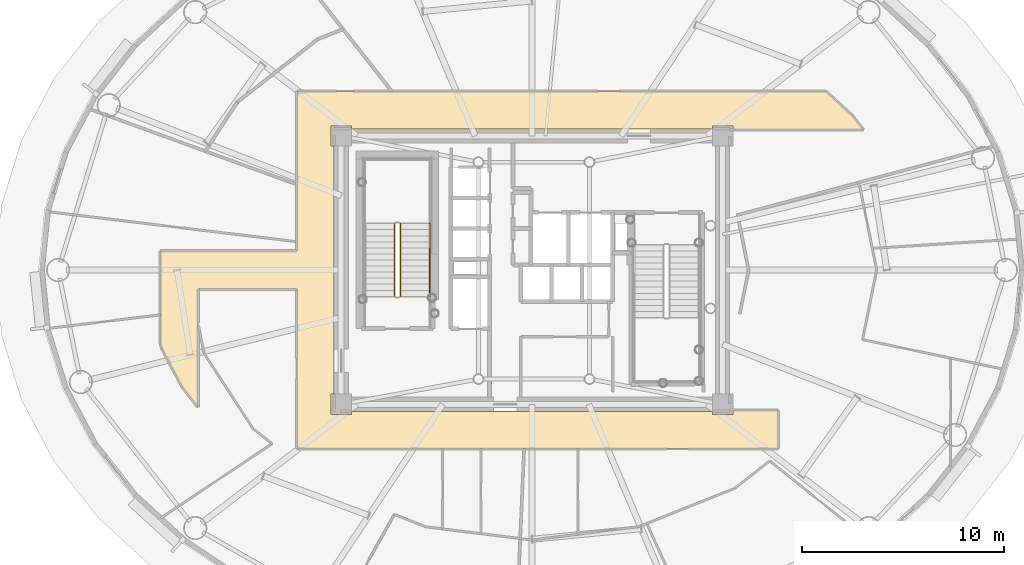
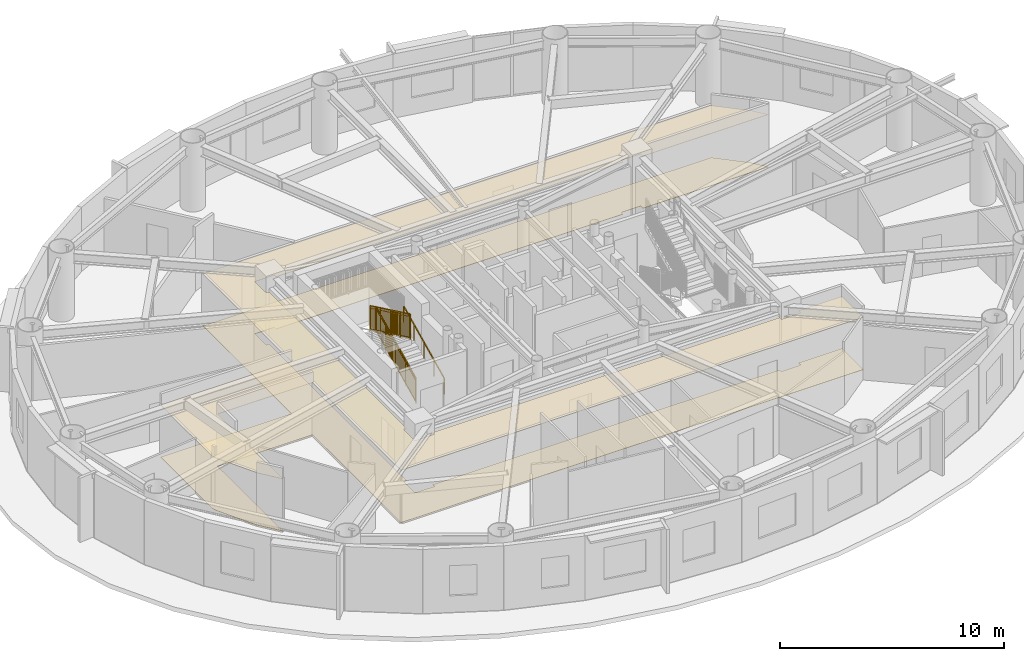
# One storey, part 15 of 19: 3 railings, 2 coverings.
"""IFC4 building model written with IfcOpenShell, lengths in metres."""

from ifc_helpers import new_model, si_unit, direction, frame, origin, origin_2d, place, context, subcontext, project, spatial, polyline, rectangle, outline, extrude, source, transform, mapped, material, layer, layer_set, type_object, element, save


model = new_model("IFC4")

# Units and contexts
model_context = context("Model", 3, precision=1e-05, world=origin(), true_north=direction((0.0, 1.0)))
body_context = subcontext(model_context, "Body", "Model", "MODEL_VIEW")
ifc_project = project(units=[si_unit("LENGTHUNIT", "METRE"), si_unit("AREAUNIT", "SQUARE_METRE"), si_unit("VOLUMEUNIT", "CUBIC_METRE"), si_unit("PLANEANGLEUNIT", "RADIAN"), si_unit("MASSUNIT", "GRAM", prefix="KILO")], contexts=[model_context])

# Site, building, storey
site_placement = place(None, origin())
site = spatial("IfcSite", under=ifc_project, at=site_placement, CompositionType="ELEMENT")
building_placement = place(site_placement, origin())
building = spatial("IfcBuilding", under=site, at=building_placement, Name="Linh Dai School and Residence Tower", CompositionType="ELEMENT")
storey_placement = place(building_placement, frame((0.0, 0.0, 210.300048828125)))
storey = spatial("IfcBuildingStorey", under=building, at=storey_placement, Name="L51", CompositionType="ELEMENT", Elevation=210.300048828125)

# Coverings
ifc_material_1 = material(Name="Mineral Fibre Acoustic Suspended Ceiling", Category="masonry")
ifc_layer_1 = layer(ifc_material_1, 0.02001953125)
ifc_layer_set_1 = layer_set([ifc_layer_1], Name="Mineral Fibre Acoustic Suspended Ceiling")
covering_type_1 = type_object("IfcCoveringType", Name="COV-CEIL-AC-20", PredefinedType="CEILING", material=ifc_layer_set_1)
covering_1_placement = place(storey_placement, frame((0.0, 0.0, 2.849853515625)))
element("IfcCovering", 1, at=covering_1_placement, inside=storey, type_object=covering_type_1, Name="L51 Residential Floor Corridor Suspended Ceiling", PredefinedType="CEILING", context=body_context, shape_type="SweptSolid", body=[
    extrude(outline(polyline([(19.449951171875, 20.211181640625), (18.6806640625, 21.1943359375), (17.66650390625, 23.111083984375), (17.60009765625, 23.327880859375), (17.60009765625, 27.949951171875), (24.35009765625, 27.949951171875), (24.35009765625, 35.85009765625), (50.56787109375, 35.85009765625), (51.873779296875, 34.65283203125), (52.423828125, 33.949951171875), (45.949951171875, 33.949951171875), (45.949951171875, 34.14990234375), (44.949951171875, 34.14990234375), (44.949951171875, 34.0), (27.050048828125, 34.0), (27.050048828125, 34.14990234375), (26.050048828125, 34.14990234375), (26.050048828125, 33.14990234375), (26.199951171875, 33.14990234375), (26.199951171875, 20.85009765625), (26.050048828125, 20.85009765625), (26.050048828125, 19.85009765625), (27.050048828125, 19.85009765625), (27.050048828125, 20.0), (44.949951171875, 20.0), (44.949951171875, 19.85009765625), (45.949951171875, 19.85009765625), (45.949951171875, 20.050048828125), (48.199951171875, 20.050048828125), (48.199951171875, 18.14990234375), (24.35009765625, 18.14990234375), (24.35009765625, 26.050048828125), (19.449951171875, 26.050048828125), (19.449951171875, 20.211181640625)])), origin(), (0.0, 0.0, 1.0), 0.02001953125),
])
ifc_material_2 = material(Name="Polished Terrazzo Floor Finish", Category="masonry")
ifc_layer_2 = layer(ifc_material_2, 0.02490234375)
ifc_layer_set_2 = layer_set([ifc_layer_2], Name="Polished Terrazzo Floor Finish")
covering_type_2 = type_object("IfcCoveringType", Name="COV-FLR-TRZ-25", PredefinedType="FLOORING", material=ifc_layer_set_2)
covering_2_placement = place(storey_placement, origin())
element("IfcCovering", 2, at=covering_2_placement, inside=storey, type_object=covering_type_2, Name="L51 Residential Floor Corridor Floor Finish", PredefinedType="FLOORING", context=body_context, shape_type="SweptSolid", body=[
    extrude(outline(polyline([(19.449951171875, 20.211181640625), (18.6806640625, 21.1943359375), (17.66650390625, 23.111083984375), (17.60009765625, 23.327880859375), (17.60009765625, 27.949951171875), (24.35009765625, 27.949951171875), (24.35009765625, 35.85009765625), (50.56787109375, 35.85009765625), (51.873779296875, 34.65283203125), (52.423828125, 33.949951171875), (45.949951171875, 33.949951171875), (45.949951171875, 34.14990234375), (44.949951171875, 34.14990234375), (44.949951171875, 34.0), (27.050048828125, 34.0), (27.050048828125, 34.14990234375), (26.050048828125, 34.14990234375), (26.050048828125, 33.14990234375), (26.199951171875, 33.14990234375), (26.199951171875, 20.85009765625), (26.050048828125, 20.85009765625), (26.050048828125, 19.85009765625), (27.050048828125, 19.85009765625), (27.050048828125, 20.0), (44.949951171875, 20.0), (44.949951171875, 19.85009765625), (45.949951171875, 19.85009765625), (45.949951171875, 20.050048828125), (48.199951171875, 20.050048828125), (48.199951171875, 18.14990234375), (24.35009765625, 18.14990234375), (24.35009765625, 26.050048828125), (19.449951171875, 26.050048828125), (19.449951171875, 20.211181640625)])), origin(), (0.0, 0.0, 1.0), 0.02001953125),
])

# Railings
ifc_material_3 = material(Name="Structural Steel S355JR", Category="steel")
railing_type_1 = type_object("IfcRailingType", Name="RL-ST-GUARD-1400", PredefinedType="GUARDRAIL", material=ifc_material_3)
shared_shape_1 = source(origin(), body_context, "Body", "SweptSolid", [
    extrude(rectangle(XDim=0.048095703125, YDim=0.048095703125, at=origin_2d()), frame((0.0, 0.0, 1.3759765625), z_axis=(0.0, 0.901262522062, 0.433273431364), x_axis=(-1.0, 0.0, 0.0)), (0.0, 0.0, 1.0), 3.994384765625),
    extrude(rectangle(XDim=0.048095703125, YDim=0.048095703125, at=origin_2d()), frame((0.0, 0.0, 0.10009765625), z_axis=(0.0, 0.901262522062, 0.433273431364), x_axis=(-1.0, 0.0, 0.0)), (0.0, 0.0, 1.0), 3.994384765625),
    extrude(rectangle(XDim=0.030029296875, YDim=0.030029296875, at=origin_2d()), frame((0.0, 0.0, 1.239990234375), z_axis=(0.0, 0.901262522062, 0.433273431364), x_axis=(-1.0, 0.0, 0.0)), (0.0, 0.0, 1.0), 3.994384765625),
    extrude(rectangle(XDim=0.02001953125, YDim=0.02001953125, at=origin_2d()), frame((0.0, 0.087890625, 0.142333984375)), (0.0, 0.0, 1.0), 1.251708984375),
    extrude(rectangle(XDim=0.02001953125, YDim=0.02001953125, at=origin_2d()), frame((0.0, 0.175537109375, 0.1845703125)), (0.0, 0.0, 1.0), 1.251708984375),
    extrude(rectangle(XDim=0.02001953125, YDim=0.02001953125, at=origin_2d()), frame((0.0, 0.263427734375, 0.226806640625)), (0.0, 0.0, 1.0), 1.251708984375),
    extrude(rectangle(XDim=0.02001953125, YDim=0.02001953125, at=origin_2d()), frame((0.0, 0.351318359375, 0.26904296875)), (0.0, 0.0, 1.0), 1.251708984375),
    extrude(rectangle(XDim=0.02001953125, YDim=0.02001953125, at=origin_2d()), frame((0.0, 0.43896484375, 0.311279296875)), (0.0, 0.0, 1.0), 1.251708984375),
    extrude(rectangle(XDim=0.02001953125, YDim=0.02001953125, at=origin_2d()), frame((0.0, 0.52685546875, 0.353271484375)), (0.0, 0.0, 1.0), 1.251708984375),
    extrude(rectangle(XDim=0.02001953125, YDim=0.02001953125, at=origin_2d()), frame((0.0, 0.61474609375, 0.3955078125)), (0.0, 0.0, 1.0), 1.251708984375),
    extrude(rectangle(XDim=0.02001953125, YDim=0.02001953125, at=origin_2d()), frame((0.0, 0.702392578125, 0.437744140625)), (0.0, 0.0, 1.0), 1.251708984375),
    extrude(rectangle(XDim=0.02001953125, YDim=0.02001953125, at=origin_2d()), frame((0.0, 0.790283203125, 0.47998046875)), (0.0, 0.0, 1.0), 1.251708984375),
    extrude(rectangle(XDim=0.02001953125, YDim=0.02001953125, at=origin_2d()), frame((0.0, 0.9658203125, 0.564453125)), (0.0, 0.0, 1.0), 1.251708984375),
    extrude(rectangle(XDim=0.02001953125, YDim=0.02001953125, at=origin_2d()), frame((0.0, 1.0537109375, 0.606689453125)), (0.0, 0.0, 1.0), 1.251708984375),
    extrude(rectangle(XDim=0.02001953125, YDim=0.02001953125, at=origin_2d()), frame((0.0, 1.1416015625, 0.64892578125)), (0.0, 0.0, 1.0), 1.251708984375),
    extrude(rectangle(XDim=0.02001953125, YDim=0.02001953125, at=origin_2d()), frame((0.0, 1.229248046875, 0.691162109375)), (0.0, 0.0, 1.0), 1.251708984375),
    extrude(rectangle(XDim=0.02001953125, YDim=0.02001953125, at=origin_2d()), frame((0.0, 1.317138671875, 0.7333984375)), (0.0, 0.0, 1.0), 1.251708984375),
    extrude(rectangle(XDim=0.02001953125, YDim=0.02001953125, at=origin_2d()), frame((0.0, 1.405029296875, 0.775390625)), (0.0, 0.0, 1.0), 1.251708984375),
    extrude(rectangle(XDim=0.02001953125, YDim=0.02001953125, at=origin_2d()), frame((0.0, 1.49267578125, 0.817626953125)), (0.0, 0.0, 1.0), 1.251708984375),
    extrude(rectangle(XDim=0.02001953125, YDim=0.02001953125, at=origin_2d()), frame((0.0, 1.58056640625, 0.85986328125)), (0.0, 0.0, 1.0), 1.251708984375),
    extrude(rectangle(XDim=0.02001953125, YDim=0.02001953125, at=origin_2d()), frame((0.0, 1.66845703125, 0.902099609375)), (0.0, 0.0, 1.0), 1.251708984375),
    extrude(rectangle(XDim=0.02001953125, YDim=0.02001953125, at=origin_2d()), frame((0.0, 1.756103515625, 0.9443359375)), (0.0, 0.0, 1.0), 1.251708984375),
    extrude(rectangle(XDim=0.02001953125, YDim=0.02001953125, at=origin_2d()), frame((0.0, 1.843994140625, 0.986572265625)), (0.0, 0.0, 1.0), 1.251708984375),
    extrude(rectangle(XDim=0.02001953125, YDim=0.02001953125, at=origin_2d()), frame((0.0, 1.931640625, 1.02880859375)), (0.0, 0.0, 1.0), 1.251708984375),
    extrude(rectangle(XDim=0.02001953125, YDim=0.02001953125, at=origin_2d()), frame((0.0, 2.01953125, 1.071044921875)), (0.0, 0.0, 1.0), 1.251708984375),
    extrude(rectangle(XDim=0.02001953125, YDim=0.02001953125, at=origin_2d()), frame((0.0, 2.107421875, 1.11328125)), (0.0, 0.0, 1.0), 1.251708984375),
    extrude(rectangle(XDim=0.02001953125, YDim=0.02001953125, at=origin_2d()), frame((0.0, 2.195068359375, 1.155517578125)), (0.0, 0.0, 1.0), 1.251708984375),
    extrude(rectangle(XDim=0.02001953125, YDim=0.02001953125, at=origin_2d()), frame((0.0, 2.282958984375, 1.197509765625)), (0.0, 0.0, 1.0), 1.251708984375),
    extrude(rectangle(XDim=0.02001953125, YDim=0.02001953125, at=origin_2d()), frame((0.0, 2.370849609375, 1.23974609375)), (0.0, 0.0, 1.0), 1.251708984375),
    extrude(rectangle(XDim=0.02001953125, YDim=0.02001953125, at=origin_2d()), frame((0.0, 2.45849609375, 1.281982421875)), (0.0, 0.0, 1.0), 1.251708984375),
    extrude(rectangle(XDim=0.02001953125, YDim=0.02001953125, at=origin_2d()), frame((0.0, 2.54638671875, 1.32421875)), (0.0, 0.0, 1.0), 1.251708984375),
    extrude(rectangle(XDim=0.02001953125, YDim=0.02001953125, at=origin_2d()), frame((0.0, 2.63427734375, 1.366455078125)), (0.0, 0.0, 1.0), 1.251708984375),
    extrude(rectangle(XDim=0.02001953125, YDim=0.02001953125, at=origin_2d()), frame((0.0, 2.809814453125, 1.450927734375)), (0.0, 0.0, 1.0), 1.251708984375),
    extrude(rectangle(XDim=0.02001953125, YDim=0.02001953125, at=origin_2d()), frame((0.0, 2.897705078125, 1.4931640625)), (0.0, 0.0, 1.0), 1.251708984375),
    extrude(rectangle(XDim=0.02001953125, YDim=0.02001953125, at=origin_2d()), frame((0.0, 2.9853515625, 1.535400390625)), (0.0, 0.0, 1.0), 1.251708984375),
    extrude(rectangle(XDim=0.02001953125, YDim=0.02001953125, at=origin_2d()), frame((0.0, 3.0732421875, 1.57763671875)), (0.0, 0.0, 1.0), 1.251708984375),
    extrude(rectangle(XDim=0.02001953125, YDim=0.02001953125, at=origin_2d()), frame((0.0, 3.1611328125, 1.61962890625)), (0.0, 0.0, 1.0), 1.251708984375),
    extrude(rectangle(XDim=0.02001953125, YDim=0.02001953125, at=origin_2d()), frame((0.0, 3.248779296875, 1.661865234375)), (0.0, 0.0, 1.0), 1.251708984375),
    extrude(rectangle(XDim=0.02001953125, YDim=0.02001953125, at=origin_2d()), frame((0.0, 3.336669921875, 1.7041015625)), (0.0, 0.0, 1.0), 1.251708984375),
    extrude(rectangle(XDim=0.02001953125, YDim=0.02001953125, at=origin_2d()), frame((0.0, 3.424560546875, 1.746337890625)), (0.0, 0.0, 1.0), 1.251708984375),
    extrude(rectangle(XDim=0.02001953125, YDim=0.02001953125, at=origin_2d()), frame((0.0, 3.51220703125, 1.78857421875)), (0.0, 0.0, 1.0), 1.251708984375),
    extrude(rectangle(XDim=0.0419921875, YDim=0.0419921875, at=origin_2d()), origin(), (0.0, 0.0, 1.0), 1.3759765625),
    extrude(rectangle(XDim=0.0419921875, YDim=0.0419921875, at=origin_2d()), frame((0.0, 0.89990234375, 0.4326171875)), (0.0, 0.0, 1.0), 1.3759765625),
    extrude(rectangle(XDim=0.0419921875, YDim=0.0419921875, at=origin_2d()), frame((0.0, 1.800048828125, 0.865234375)), (0.0, 0.0, 1.0), 1.3759765625),
    extrude(rectangle(XDim=0.0419921875, YDim=0.0419921875, at=origin_2d()), frame((0.0, 2.7001953125, 1.298095703125)), (0.0, 0.0, 1.0), 1.3759765625),
    extrude(rectangle(XDim=0.0419921875, YDim=0.0419921875, at=origin_2d()), frame((0.0, 3.60009765625, 1.730712890625)), (0.0, 0.0, 1.0), 1.3759765625),
])
railing_1_placement = place(storey_placement, frame((29.47998046875, 25.699951171875, 0.144287109375)))
element("IfcRailing", 3, at=railing_1_placement, inside=storey, type_object=railing_type_1, Name="L51 ST1 stair guard 1", PredefinedType="GUARDRAIL", context=body_context, shape_type="MappedRepresentation", body=[
    mapped(shared_shape_1, transform((0.0, 0.0, 0.0), x_axis=(1.0, 0.0, 0.0), y_axis=(0.0, 1.0, 0.0), z_axis=(0.0, 0.0, 1.0), scale=1.0)),
])
shared_shape_2 = source(origin(), body_context, "Body", "SweptSolid", [
    extrude(rectangle(XDim=0.048095703125, YDim=0.048095703125, at=origin_2d()), frame((0.0, 0.0, 1.3759765625), z_axis=(0.0, -0.901262522062, 0.433273431364), x_axis=(1.0, 0.0, 0.0)), (0.0, 0.0, 1.0), 3.994384765625),
    extrude(rectangle(XDim=0.048095703125, YDim=0.048095703125, at=origin_2d()), frame((0.0, 0.0, 0.10009765625), z_axis=(0.0, -0.901262522062, 0.433273431364), x_axis=(1.0, 0.0, 0.0)), (0.0, 0.0, 1.0), 3.994384765625),
    extrude(rectangle(XDim=0.030029296875, YDim=0.030029296875, at=origin_2d()), frame((0.0, 0.0, 1.239990234375), z_axis=(0.0, -0.901262522062, 0.433273431364), x_axis=(1.0, 0.0, 0.0)), (0.0, 0.0, 1.0), 3.994384765625),
    extrude(rectangle(XDim=0.02001953125, YDim=0.02001953125, at=origin_2d()), frame((0.0, -0.087890625, 0.142333984375)), (0.0, 0.0, 1.0), 1.251708984375),
    extrude(rectangle(XDim=0.02001953125, YDim=0.02001953125, at=origin_2d()), frame((0.0, -0.175537109375, 0.1845703125)), (0.0, 0.0, 1.0), 1.251708984375),
    extrude(rectangle(XDim=0.02001953125, YDim=0.02001953125, at=origin_2d()), frame((0.0, -0.263427734375, 0.226806640625)), (0.0, 0.0, 1.0), 1.251708984375),
    extrude(rectangle(XDim=0.02001953125, YDim=0.02001953125, at=origin_2d()), frame((0.0, -0.351318359375, 0.26904296875)), (0.0, 0.0, 1.0), 1.251708984375),
    extrude(rectangle(XDim=0.02001953125, YDim=0.02001953125, at=origin_2d()), frame((0.0, -0.43896484375, 0.311279296875)), (0.0, 0.0, 1.0), 1.251708984375),
    extrude(rectangle(XDim=0.02001953125, YDim=0.02001953125, at=origin_2d()), frame((0.0, -0.52685546875, 0.353271484375)), (0.0, 0.0, 1.0), 1.251708984375),
    extrude(rectangle(XDim=0.02001953125, YDim=0.02001953125, at=origin_2d()), frame((0.0, -0.61474609375, 0.3955078125)), (0.0, 0.0, 1.0), 1.251708984375),
    extrude(rectangle(XDim=0.02001953125, YDim=0.02001953125, at=origin_2d()), frame((0.0, -0.702392578125, 0.437744140625)), (0.0, 0.0, 1.0), 1.251708984375),
    extrude(rectangle(XDim=0.02001953125, YDim=0.02001953125, at=origin_2d()), frame((0.0, -0.790283203125, 0.47998046875)), (0.0, 0.0, 1.0), 1.251708984375),
    extrude(rectangle(XDim=0.02001953125, YDim=0.02001953125, at=origin_2d()), frame((0.0, -0.9658203125, 0.564453125)), (0.0, 0.0, 1.0), 1.251708984375),
    extrude(rectangle(XDim=0.02001953125, YDim=0.02001953125, at=origin_2d()), frame((0.0, -1.0537109375, 0.606689453125)), (0.0, 0.0, 1.0), 1.251708984375),
    extrude(rectangle(XDim=0.02001953125, YDim=0.02001953125, at=origin_2d()), frame((0.0, -1.1416015625, 0.64892578125)), (0.0, 0.0, 1.0), 1.251708984375),
    extrude(rectangle(XDim=0.02001953125, YDim=0.02001953125, at=origin_2d()), frame((0.0, -1.229248046875, 0.691162109375)), (0.0, 0.0, 1.0), 1.251708984375),
    extrude(rectangle(XDim=0.02001953125, YDim=0.02001953125, at=origin_2d()), frame((0.0, -1.317138671875, 0.7333984375)), (0.0, 0.0, 1.0), 1.251708984375),
    extrude(rectangle(XDim=0.02001953125, YDim=0.02001953125, at=origin_2d()), frame((0.0, -1.405029296875, 0.775390625)), (0.0, 0.0, 1.0), 1.251708984375),
    extrude(rectangle(XDim=0.02001953125, YDim=0.02001953125, at=origin_2d()), frame((0.0, -1.49267578125, 0.817626953125)), (0.0, 0.0, 1.0), 1.251708984375),
    extrude(rectangle(XDim=0.02001953125, YDim=0.02001953125, at=origin_2d()), frame((0.0, -1.58056640625, 0.85986328125)), (0.0, 0.0, 1.0), 1.251708984375),
    extrude(rectangle(XDim=0.02001953125, YDim=0.02001953125, at=origin_2d()), frame((0.0, -1.66845703125, 0.902099609375)), (0.0, 0.0, 1.0), 1.251708984375),
    extrude(rectangle(XDim=0.02001953125, YDim=0.02001953125, at=origin_2d()), frame((0.0, -1.756103515625, 0.9443359375)), (0.0, 0.0, 1.0), 1.251708984375),
    extrude(rectangle(XDim=0.02001953125, YDim=0.02001953125, at=origin_2d()), frame((0.0, -1.843994140625, 0.986572265625)), (0.0, 0.0, 1.0), 1.251708984375),
    extrude(rectangle(XDim=0.02001953125, YDim=0.02001953125, at=origin_2d()), frame((0.0, -1.931640625, 1.02880859375)), (0.0, 0.0, 1.0), 1.251708984375),
    extrude(rectangle(XDim=0.02001953125, YDim=0.02001953125, at=origin_2d()), frame((0.0, -2.01953125, 1.071044921875)), (0.0, 0.0, 1.0), 1.251708984375),
    extrude(rectangle(XDim=0.02001953125, YDim=0.02001953125, at=origin_2d()), frame((0.0, -2.107421875, 1.11328125)), (0.0, 0.0, 1.0), 1.251708984375),
    extrude(rectangle(XDim=0.02001953125, YDim=0.02001953125, at=origin_2d()), frame((0.0, -2.195068359375, 1.155517578125)), (0.0, 0.0, 1.0), 1.251708984375),
    extrude(rectangle(XDim=0.02001953125, YDim=0.02001953125, at=origin_2d()), frame((0.0, -2.282958984375, 1.197509765625)), (0.0, 0.0, 1.0), 1.251708984375),
    extrude(rectangle(XDim=0.02001953125, YDim=0.02001953125, at=origin_2d()), frame((0.0, -2.370849609375, 1.23974609375)), (0.0, 0.0, 1.0), 1.251708984375),
    extrude(rectangle(XDim=0.02001953125, YDim=0.02001953125, at=origin_2d()), frame((0.0, -2.45849609375, 1.281982421875)), (0.0, 0.0, 1.0), 1.251708984375),
    extrude(rectangle(XDim=0.02001953125, YDim=0.02001953125, at=origin_2d()), frame((0.0, -2.54638671875, 1.32421875)), (0.0, 0.0, 1.0), 1.251708984375),
    extrude(rectangle(XDim=0.02001953125, YDim=0.02001953125, at=origin_2d()), frame((0.0, -2.63427734375, 1.366455078125)), (0.0, 0.0, 1.0), 1.251708984375),
    extrude(rectangle(XDim=0.02001953125, YDim=0.02001953125, at=origin_2d()), frame((0.0, -2.809814453125, 1.450927734375)), (0.0, 0.0, 1.0), 1.251708984375),
    extrude(rectangle(XDim=0.02001953125, YDim=0.02001953125, at=origin_2d()), frame((0.0, -2.897705078125, 1.4931640625)), (0.0, 0.0, 1.0), 1.251708984375),
    extrude(rectangle(XDim=0.02001953125, YDim=0.02001953125, at=origin_2d()), frame((0.0, -2.9853515625, 1.535400390625)), (0.0, 0.0, 1.0), 1.251708984375),
    extrude(rectangle(XDim=0.02001953125, YDim=0.02001953125, at=origin_2d()), frame((0.0, -3.0732421875, 1.57763671875)), (0.0, 0.0, 1.0), 1.251708984375),
    extrude(rectangle(XDim=0.02001953125, YDim=0.02001953125, at=origin_2d()), frame((0.0, -3.1611328125, 1.61962890625)), (0.0, 0.0, 1.0), 1.251708984375),
    extrude(rectangle(XDim=0.02001953125, YDim=0.02001953125, at=origin_2d()), frame((0.0, -3.248779296875, 1.661865234375)), (0.0, 0.0, 1.0), 1.251708984375),
    extrude(rectangle(XDim=0.02001953125, YDim=0.02001953125, at=origin_2d()), frame((0.0, -3.336669921875, 1.7041015625)), (0.0, 0.0, 1.0), 1.251708984375),
    extrude(rectangle(XDim=0.02001953125, YDim=0.02001953125, at=origin_2d()), frame((0.0, -3.424560546875, 1.746337890625)), (0.0, 0.0, 1.0), 1.251708984375),
    extrude(rectangle(XDim=0.02001953125, YDim=0.02001953125, at=origin_2d()), frame((0.0, -3.51220703125, 1.78857421875)), (0.0, 0.0, 1.0), 1.251708984375),
    extrude(rectangle(XDim=0.0419921875, YDim=0.0419921875, at=origin_2d()), origin(), (0.0, 0.0, 1.0), 1.3759765625),
    extrude(rectangle(XDim=0.0419921875, YDim=0.0419921875, at=origin_2d()), frame((0.0, -0.89990234375, 0.4326171875)), (0.0, 0.0, 1.0), 1.3759765625),
    extrude(rectangle(XDim=0.0419921875, YDim=0.0419921875, at=origin_2d()), frame((0.0, -1.800048828125, 0.865234375)), (0.0, 0.0, 1.0), 1.3759765625),
    extrude(rectangle(XDim=0.0419921875, YDim=0.0419921875, at=origin_2d()), frame((0.0, -2.7001953125, 1.298095703125)), (0.0, 0.0, 1.0), 1.3759765625),
    extrude(rectangle(XDim=0.0419921875, YDim=0.0419921875, at=origin_2d()), frame((0.0, -3.60009765625, 1.730712890625)), (0.0, 0.0, 1.0), 1.3759765625),
])
railing_2_placement = place(storey_placement, frame((29.179931640625, 29.300048828125, 2.019287109375)))
element("IfcRailing", 4, at=railing_2_placement, inside=storey, type_object=railing_type_1, Name="L51 ST1 stair guard 6", PredefinedType="GUARDRAIL", context=body_context, shape_type="MappedRepresentation", body=[
    mapped(shared_shape_2, transform((0.0, 0.0, 0.0), x_axis=(1.0, 0.0, 0.0), y_axis=(0.0, 1.0, 0.0), z_axis=(0.0, 0.0, 1.0), scale=1.0)),
])
ifc_material_4 = material(Name="Brushed Stainless Steel Handrail", Category="steel")
railing_type_2 = type_object("IfcRailingType", Name="RL-ST-HANDRAIL-900", PredefinedType="HANDRAIL", material=ifc_material_4)
shared_shape_3 = source(origin(), body_context, "Body", "SweptSolid", [
    extrude(rectangle(XDim=0.048095703125, YDim=0.048095703125, at=origin_2d()), frame((0.0, 0.0, 0.8759765625), z_axis=(0.0, 0.901262522062, 0.433273431364), x_axis=(-1.0, 0.0, 0.0)), (0.0, 0.0, 1.0), 3.994384765625),
    extrude(rectangle(XDim=0.0419921875, YDim=0.0419921875, at=origin_2d()), origin(), (0.0, 0.0, 1.0), 0.8759765625),
    extrude(rectangle(XDim=0.0419921875, YDim=0.0419921875, at=origin_2d()), frame((0.0, 0.89990234375, 0.4326171875)), (0.0, 0.0, 1.0), 0.8759765625),
    extrude(rectangle(XDim=0.0419921875, YDim=0.0419921875, at=origin_2d()), frame((0.0, 1.800048828125, 0.865234375)), (0.0, 0.0, 1.0), 0.8759765625),
    extrude(rectangle(XDim=0.0419921875, YDim=0.0419921875, at=origin_2d()), frame((0.0, 2.7001953125, 1.298095703125)), (0.0, 0.0, 1.0), 0.8759765625),
    extrude(rectangle(XDim=0.0419921875, YDim=0.0419921875, at=origin_2d()), frame((0.0, 3.60009765625, 1.730712890625)), (0.0, 0.0, 1.0), 0.8759765625),
])
railing_3_placement = place(storey_placement, frame((30.929931640625, 25.699951171875, 0.144287109375)))
element("IfcRailing", 5, at=railing_3_placement, inside=storey, type_object=railing_type_2, Name="L51 ST1 stair handrail 1", PredefinedType="HANDRAIL", context=body_context, shape_type="MappedRepresentation", body=[
    mapped(shared_shape_3, transform((0.0, 0.0, 0.0), x_axis=(1.0, 0.0, 0.0), y_axis=(0.0, 1.0, 0.0), z_axis=(0.0, 0.0, 1.0), scale=1.0)),
])

save(model, "model.ifc")
